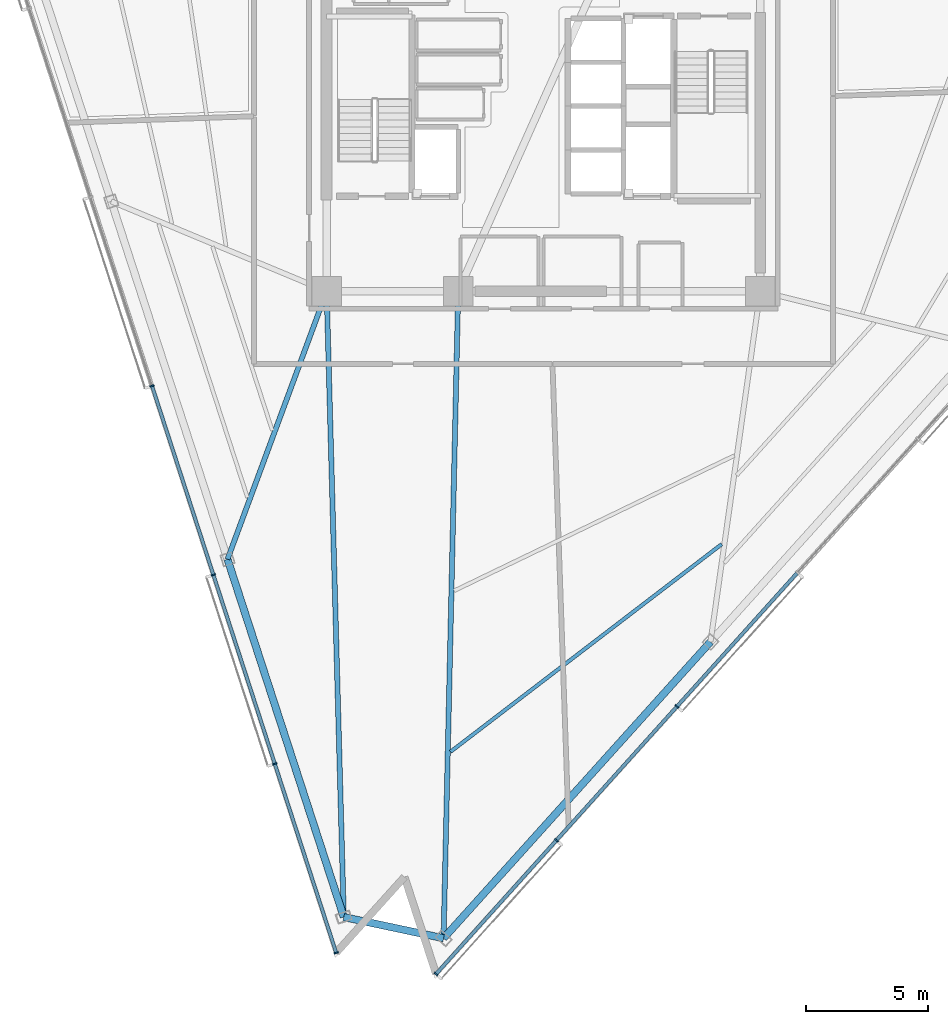
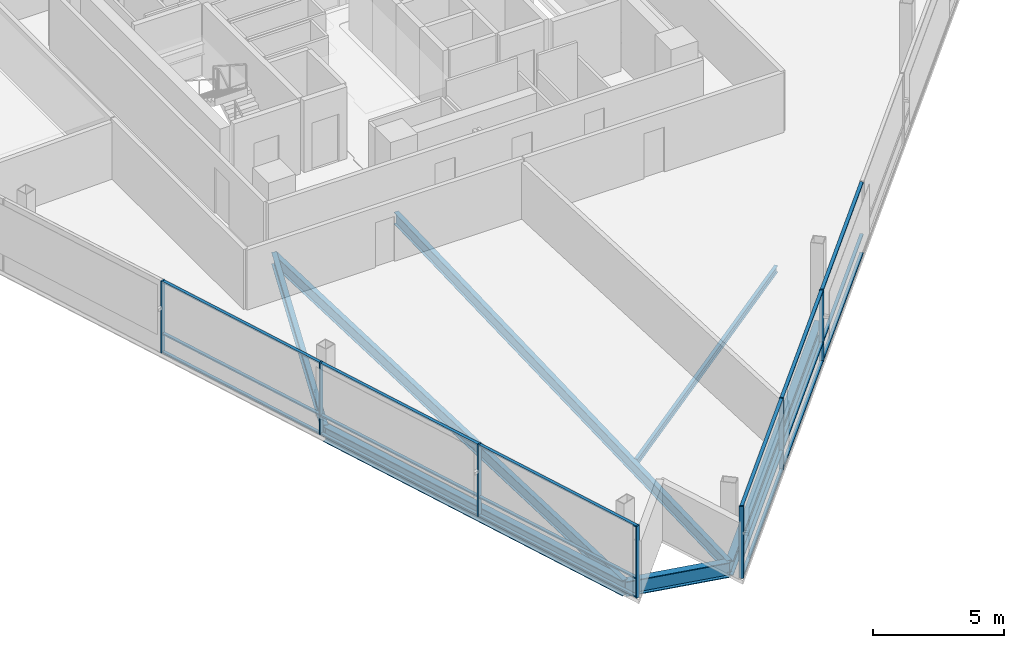
# One storey, part 2 of 17: 25 members, 7 beams, 2 elements without a shape of their own.
"""IFC4 building model written with IfcOpenShell, lengths in metres."""

from ifc_helpers import new_model, si_unit, direction, frame, origin, origin_2d, place, context, subcontext, project, spatial, rectangle, i_section, extrude, material, layer, layer_set, material_profile, profile_set, type_object, element, aggregate, save


model = new_model("IFC4")

# Units and contexts
model_context = context("Model", 3, precision=1e-05, world=origin(), true_north=direction((0.0, 1.0)))
body_context = subcontext(model_context, "Body", "Model", "MODEL_VIEW")
ifc_project = project(units=[si_unit("LENGTHUNIT", "METRE"), si_unit("AREAUNIT", "SQUARE_METRE"), si_unit("VOLUMEUNIT", "CUBIC_METRE"), si_unit("PLANEANGLEUNIT", "RADIAN"), si_unit("MASSUNIT", "GRAM", prefix="KILO")], contexts=[model_context])

# Site, building, storey
site_placement = place(None, origin())
site = spatial("IfcSite", under=ifc_project, at=site_placement, CompositionType="ELEMENT")
building_placement = place(site_placement, origin())
building = spatial("IfcBuilding", under=site, at=building_placement, Name="Tharavind Bronze Gate", CompositionType="ELEMENT")
storey_placement = place(building_placement, frame((0.0, 0.0, 218.449951171875)))
storey = spatial("IfcBuildingStorey", under=building, at=storey_placement, Name="L56", CompositionType="ELEMENT", Elevation=218.449951171875)

# Curtain wall, members
ifc_material_1 = material(Name="Anodised Bronze Aluminium", Category="aluminium")
ifc_layer = layer(ifc_material_1, 0.219970703125)
ifc_layer_set = layer_set([ifc_layer], Name="Anodised Bronze Aluminium")
curtain_wall_type = type_object("IfcCurtainWallType", Name="UNITISED CURTAIN WALL MID OFFICE", PredefinedType="USERDEFINED", material=ifc_layer_set)
curtain_wall_1_placement = place(storey_placement, origin())
curtain_wall_1 = element("IfcCurtainWall", 1, at=curtain_wall_1_placement, inside=storey, type_object=curtain_wall_type, Name="L56 unitised curtain wall mid office CW-L56-S1", ObjectType="UNITISED CURTAIN WALL", PredefinedType="USERDEFINED")
member_type_1 = type_object("IfcMemberType", Name="CURTAIN WALL BRONZE MULLION 65X180", PredefinedType="MULLION", material=ifc_material_1)
member_1_placement = place(storey_placement, frame((-16.0693359375, -11.489013671875, 0.0), z_axis=(0.0, 0.0, 1.0), x_axis=(0.309016994375, -0.951056516295, 0.0)))
member_1 = element("IfcMember", 2, at=member_1_placement, type_object=member_type_1, Name="CW-L56-S1 mullion 4", PredefinedType="MULLION", context=body_context, shape_type="SweptSolid", body=[
    extrude(rectangle(XDim=0.06494140625, YDim=0.179931640625, at=origin_2d()), origin(), (0.0, 0.0, 1.0), 3.360107421875),
])
member_2_placement = place(storey_placement, frame((-13.54931640625, -19.24560546875, 0.0), z_axis=(0.0, 0.0, 1.0), x_axis=(0.309016994375, -0.951056516295, 0.0)))
member_2 = element("IfcMember", 3, at=member_2_placement, type_object=member_type_1, Name="CW-L56-S1 mullion 5", PredefinedType="MULLION", context=body_context, shape_type="SweptSolid", body=[
    extrude(rectangle(XDim=0.06494140625, YDim=0.179931640625, at=origin_2d()), origin(), (0.0, 0.0, 1.0), 3.360107421875),
])
member_3_placement = place(storey_placement, frame((-11.029052734375, -27.002197265625, 0.0), z_axis=(0.0, 0.0, 1.0), x_axis=(0.309016994375, -0.951056516295, 0.0)))
member_3 = element("IfcMember", 4, at=member_3_placement, type_object=member_type_1, Name="CW-L56-S1 mullion 6", PredefinedType="MULLION", context=body_context, shape_type="SweptSolid", body=[
    extrude(rectangle(XDim=0.06494140625, YDim=0.179931640625, at=origin_2d()), origin(), (0.0, 0.0, 1.0), 3.360107421875),
])
member_4_placement = place(storey_placement, frame((-8.5087890625, -34.7587890625, 0.0), z_axis=(0.0, 0.0, 1.0), x_axis=(0.309016994375, -0.951056516295, 0.0)))
member_4 = element("IfcMember", 5, at=member_4_placement, type_object=member_type_1, Name="CW-L56-S1 mullion 7", PredefinedType="MULLION", context=body_context, shape_type="SweptSolid", body=[
    extrude(rectangle(XDim=0.06494140625, YDim=0.179931640625, at=origin_2d()), origin(), (0.0, 0.0, 1.0), 3.360107421875),
])

curtain_wall_2_placement = place(storey_placement, origin())
curtain_wall_2 = element("IfcCurtainWall", 6, at=curtain_wall_2_placement, inside=storey, type_object=curtain_wall_type, Name="L56 unitised curtain wall mid office CW-L56-S2", ObjectType="UNITISED CURTAIN WALL", PredefinedType="USERDEFINED")
member_5_placement = place(storey_placement, frame((-4.412109375, -35.62939453125, 0.0), z_axis=(0.0, 0.0, 1.0), x_axis=(0.669130606359, 0.743144825477, 0.0)))
member_5 = element("IfcMember", 7, at=member_5_placement, type_object=member_type_1, Name="CW-L56-S2 mullion 1", PredefinedType="MULLION", context=body_context, shape_type="SweptSolid", body=[
    extrude(rectangle(XDim=0.06494140625, YDim=0.179931640625, at=origin_2d()), origin(), (0.0, 0.0, 1.0), 3.360107421875),
])
member_6_placement = place(storey_placement, frame((0.5322265625, -30.13818359375, 0.0), z_axis=(0.0, 0.0, 1.0), x_axis=(0.669130606359, 0.743144825477, 0.0)))
member_6 = element("IfcMember", 8, at=member_6_placement, type_object=member_type_1, Name="CW-L56-S2 mullion 2", PredefinedType="MULLION", context=body_context, shape_type="SweptSolid", body=[
    extrude(rectangle(XDim=0.06494140625, YDim=0.179931640625, at=origin_2d()), origin(), (0.0, 0.0, 1.0), 3.360107421875),
])
member_7_placement = place(storey_placement, frame((5.476806640625, -24.646484375, 0.0), z_axis=(0.0, 0.0, 1.0), x_axis=(0.669130606359, 0.743144825477, 0.0)))
member_7 = element("IfcMember", 9, at=member_7_placement, type_object=member_type_1, Name="CW-L56-S2 mullion 3", PredefinedType="MULLION", context=body_context, shape_type="SweptSolid", body=[
    extrude(rectangle(XDim=0.06494140625, YDim=0.179931640625, at=origin_2d()), origin(), (0.0, 0.0, 1.0), 3.360107421875),
])

# Member
member_type_2 = type_object("IfcMemberType", Name="CURTAIN WALL BRONZE TRANSOM 65X140", PredefinedType="USERDEFINED", material=ifc_material_1)
member_8_placement = place(storey_placement, frame((-14.809326171875, -15.367431640625, 0.0), z_axis=(0.0, 0.0, 1.0), x_axis=(0.309016994375, -0.951056516295, 0.0)))
member_8 = element("IfcMember", 10, at=member_8_placement, type_object=member_type_2, Name="CW-L56-S1 transom TB4", ObjectType="TRANSOM", PredefinedType="USERDEFINED", context=body_context, shape_type="SweptSolid", body=[
    extrude(rectangle(XDim=8.102783203125, YDim=0.139892578125, at=origin_2d()), origin(), (0.0, 0.0, 1.0), 0.06494140625),
])

member_9_placement = place(storey_placement, frame((-14.809326171875, -15.367431640625, 0.86767578125), z_axis=(0.0, 0.0, 1.0), x_axis=(0.309016994375, -0.951056516295, 0.0)))
member_9 = element("IfcMember", 11, at=member_9_placement, type_object=member_type_2, Name="CW-L56-S1 transom TS4", ObjectType="TRANSOM", PredefinedType="USERDEFINED", context=body_context, shape_type="SweptSolid", body=[
    extrude(rectangle(XDim=8.102783203125, YDim=0.139892578125, at=origin_2d()), origin(), (0.0, 0.0, 1.0), 0.06494140625),
])

member_10_placement = place(storey_placement, frame((-14.809326171875, -15.367431640625, 3.295166015625), z_axis=(0.0, 0.0, 1.0), x_axis=(0.309016994375, -0.951056516295, 0.0)))
member_10 = element("IfcMember", 12, at=member_10_placement, type_object=member_type_2, Name="CW-L56-S1 transom TT4", ObjectType="TRANSOM", PredefinedType="USERDEFINED", context=body_context, shape_type="SweptSolid", body=[
    extrude(rectangle(XDim=8.102783203125, YDim=0.139892578125, at=origin_2d()), origin(), (0.0, 0.0, 1.0), 0.06494140625),
])

member_11_placement = place(storey_placement, frame((-12.2890625, -23.123779296875, 0.0), z_axis=(0.0, 0.0, 1.0), x_axis=(0.309016994375, -0.951056516295, 0.0)))
member_11 = element("IfcMember", 13, at=member_11_placement, type_object=member_type_2, Name="CW-L56-S1 transom TB5", ObjectType="TRANSOM", PredefinedType="USERDEFINED", context=body_context, shape_type="SweptSolid", body=[
    extrude(rectangle(XDim=8.102783203125, YDim=0.139892578125, at=origin_2d()), origin(), (0.0, 0.0, 1.0), 0.06494140625),
])

member_12_placement = place(storey_placement, frame((-12.2890625, -23.123779296875, 0.86767578125), z_axis=(0.0, 0.0, 1.0), x_axis=(0.309016994375, -0.951056516295, 0.0)))
member_12 = element("IfcMember", 14, at=member_12_placement, type_object=member_type_2, Name="CW-L56-S1 transom TS5", ObjectType="TRANSOM", PredefinedType="USERDEFINED", context=body_context, shape_type="SweptSolid", body=[
    extrude(rectangle(XDim=8.102783203125, YDim=0.139892578125, at=origin_2d()), origin(), (0.0, 0.0, 1.0), 0.06494140625),
])

member_13_placement = place(storey_placement, frame((-12.2890625, -23.123779296875, 3.295166015625), z_axis=(0.0, 0.0, 1.0), x_axis=(0.309016994375, -0.951056516295, 0.0)))
member_13 = element("IfcMember", 15, at=member_13_placement, type_object=member_type_2, Name="CW-L56-S1 transom TT5", ObjectType="TRANSOM", PredefinedType="USERDEFINED", context=body_context, shape_type="SweptSolid", body=[
    extrude(rectangle(XDim=8.102783203125, YDim=0.139892578125, at=origin_2d()), origin(), (0.0, 0.0, 1.0), 0.06494140625),
])

member_14_placement = place(storey_placement, frame((-9.768798828125, -30.88037109375, 0.0), z_axis=(0.0, 0.0, 1.0), x_axis=(0.309016994375, -0.951056516295, 0.0)))
member_14 = element("IfcMember", 16, at=member_14_placement, type_object=member_type_2, Name="CW-L56-S1 transom TB6", ObjectType="TRANSOM", PredefinedType="USERDEFINED", context=body_context, shape_type="SweptSolid", body=[
    extrude(rectangle(XDim=8.102783203125, YDim=0.139892578125, at=origin_2d()), origin(), (0.0, 0.0, 1.0), 0.06494140625),
])

member_15_placement = place(storey_placement, frame((-9.768798828125, -30.88037109375, 0.86767578125), z_axis=(0.0, 0.0, 1.0), x_axis=(0.309016994375, -0.951056516295, 0.0)))
member_15 = element("IfcMember", 17, at=member_15_placement, type_object=member_type_2, Name="CW-L56-S1 transom TS6", ObjectType="TRANSOM", PredefinedType="USERDEFINED", context=body_context, shape_type="SweptSolid", body=[
    extrude(rectangle(XDim=8.102783203125, YDim=0.139892578125, at=origin_2d()), origin(), (0.0, 0.0, 1.0), 0.06494140625),
])

member_16_placement = place(storey_placement, frame((-9.768798828125, -30.88037109375, 3.295166015625), z_axis=(0.0, 0.0, 1.0), x_axis=(0.309016994375, -0.951056516295, 0.0)))
member_16 = element("IfcMember", 18, at=member_16_placement, type_object=member_type_2, Name="CW-L56-S1 transom TT6", ObjectType="TRANSOM", PredefinedType="USERDEFINED", context=body_context, shape_type="SweptSolid", body=[
    extrude(rectangle(XDim=8.102783203125, YDim=0.139892578125, at=origin_2d()), origin(), (0.0, 0.0, 1.0), 0.06494140625),
])

aggregate(curtain_wall_1, [member_1, member_2, member_3, member_4, member_8, member_9, member_10, member_11, member_12, member_13, member_14, member_15, member_16])

member_17_placement = place(storey_placement, frame((-1.93994140625, -32.8837890625, 0.0), z_axis=(0.0, 0.0, 1.0), x_axis=(0.669130606359, 0.743144825477, 0.0)))
member_17 = element("IfcMember", 19, at=member_17_placement, type_object=member_type_2, Name="CW-L56-S2 transom TB1", ObjectType="TRANSOM", PredefinedType="USERDEFINED", context=body_context, shape_type="SweptSolid", body=[
    extrude(rectangle(XDim=7.33642578125, YDim=0.139892578125, at=origin_2d()), origin(), (0.0, 0.0, 1.0), 0.06494140625),
])

member_18_placement = place(storey_placement, frame((-1.93994140625, -32.8837890625, 0.86767578125), z_axis=(0.0, 0.0, 1.0), x_axis=(0.669130606359, 0.743144825477, 0.0)))
member_18 = element("IfcMember", 20, at=member_18_placement, type_object=member_type_2, Name="CW-L56-S2 transom TS1", ObjectType="TRANSOM", PredefinedType="USERDEFINED", context=body_context, shape_type="SweptSolid", body=[
    extrude(rectangle(XDim=7.33642578125, YDim=0.139892578125, at=origin_2d()), origin(), (0.0, 0.0, 1.0), 0.06494140625),
])

member_19_placement = place(storey_placement, frame((-1.93994140625, -32.8837890625, 3.295166015625), z_axis=(0.0, 0.0, 1.0), x_axis=(0.669130606359, 0.743144825477, 0.0)))
member_19 = element("IfcMember", 21, at=member_19_placement, type_object=member_type_2, Name="CW-L56-S2 transom TT1", ObjectType="TRANSOM", PredefinedType="USERDEFINED", context=body_context, shape_type="SweptSolid", body=[
    extrude(rectangle(XDim=7.33642578125, YDim=0.139892578125, at=origin_2d()), origin(), (0.0, 0.0, 1.0), 0.06494140625),
])

member_20_placement = place(storey_placement, frame((3.004638671875, -27.392333984375, 0.0), z_axis=(0.0, 0.0, 1.0), x_axis=(0.669130606359, 0.743144825477, 0.0)))
member_20 = element("IfcMember", 22, at=member_20_placement, type_object=member_type_2, Name="CW-L56-S2 transom TB2", ObjectType="TRANSOM", PredefinedType="USERDEFINED", context=body_context, shape_type="SweptSolid", body=[
    extrude(rectangle(XDim=7.33642578125, YDim=0.139892578125, at=origin_2d()), origin(), (0.0, 0.0, 1.0), 0.06494140625),
])

member_21_placement = place(storey_placement, frame((3.004638671875, -27.392333984375, 0.86767578125), z_axis=(0.0, 0.0, 1.0), x_axis=(0.669130606359, 0.743144825477, 0.0)))
member_21 = element("IfcMember", 23, at=member_21_placement, type_object=member_type_2, Name="CW-L56-S2 transom TS2", ObjectType="TRANSOM", PredefinedType="USERDEFINED", context=body_context, shape_type="SweptSolid", body=[
    extrude(rectangle(XDim=7.33642578125, YDim=0.139892578125, at=origin_2d()), origin(), (0.0, 0.0, 1.0), 0.06494140625),
])

member_22_placement = place(storey_placement, frame((3.004638671875, -27.392333984375, 3.295166015625), z_axis=(0.0, 0.0, 1.0), x_axis=(0.669130606359, 0.743144825477, 0.0)))
member_22 = element("IfcMember", 24, at=member_22_placement, type_object=member_type_2, Name="CW-L56-S2 transom TT2", ObjectType="TRANSOM", PredefinedType="USERDEFINED", context=body_context, shape_type="SweptSolid", body=[
    extrude(rectangle(XDim=7.33642578125, YDim=0.139892578125, at=origin_2d()), origin(), (0.0, 0.0, 1.0), 0.06494140625),
])

member_23_placement = place(storey_placement, frame((7.94921875, -21.90087890625, 0.0), z_axis=(0.0, 0.0, 1.0), x_axis=(0.669130606359, 0.743144825477, 0.0)))
member_23 = element("IfcMember", 25, at=member_23_placement, type_object=member_type_2, Name="CW-L56-S2 transom TB3", ObjectType="TRANSOM", PredefinedType="USERDEFINED", context=body_context, shape_type="SweptSolid", body=[
    extrude(rectangle(XDim=7.33642578125, YDim=0.139892578125, at=origin_2d()), origin(), (0.0, 0.0, 1.0), 0.06494140625),
])

member_24_placement = place(storey_placement, frame((7.94921875, -21.90087890625, 0.86767578125), z_axis=(0.0, 0.0, 1.0), x_axis=(0.669130606359, 0.743144825477, 0.0)))
member_24 = element("IfcMember", 26, at=member_24_placement, type_object=member_type_2, Name="CW-L56-S2 transom TS3", ObjectType="TRANSOM", PredefinedType="USERDEFINED", context=body_context, shape_type="SweptSolid", body=[
    extrude(rectangle(XDim=7.33642578125, YDim=0.139892578125, at=origin_2d()), origin(), (0.0, 0.0, 1.0), 0.06494140625),
])

member_25_placement = place(storey_placement, frame((7.94921875, -21.90087890625, 3.295166015625), z_axis=(0.0, 0.0, 1.0), x_axis=(0.669130606359, 0.743144825477, 0.0)))
member_25 = element("IfcMember", 27, at=member_25_placement, type_object=member_type_2, Name="CW-L56-S2 transom TT3", ObjectType="TRANSOM", PredefinedType="USERDEFINED", context=body_context, shape_type="SweptSolid", body=[
    extrude(rectangle(XDim=7.33642578125, YDim=0.139892578125, at=origin_2d()), origin(), (0.0, 0.0, 1.0), 0.06494140625),
])

aggregate(curtain_wall_2, [member_5, member_6, member_7, member_17, member_18, member_19, member_20, member_21, member_22, member_23, member_24, member_25])

# Beams
ifc_material_2 = material(Name="Steel S355", Category="steel")
ifc_material_profile_1 = material_profile(ifc_material_2, i_section(OverallWidth=0.2099609375, OverallDepth=0.550048828125, WebThickness=0.010986328125, FlangeThickness=0.01708984375, at=origin_2d()), Name="IPE550")
ifc_profile_set_1 = profile_set([ifc_material_profile_1], Name="Steel S355")
beam_type_1 = type_object("IfcBeamType", Name="PRIMARY GIRDER IPE550", PredefinedType="USERDEFINED", material=ifc_profile_set_1)
beam_1_placement = place(storey_placement, frame((-12.9697265625, -18.60205078125, -0.454833984375), z_axis=(0.34694151405, 0.937886765995, 0.0), x_axis=(-0.937886765995, 0.34694151405, 0.0)))
element("IfcBeam", 28, at=beam_1_placement, inside=storey, type_object=beam_type_1, Name="L56 primary girder ipe550 BM-L56-RAD03", ObjectType="GIRDER", PredefinedType="USERDEFINED", context=body_context, shape_type="SweptSolid", body=[
    extrude(i_section(OverallWidth=0.2099609375, OverallDepth=0.550048828125, WebThickness=0.010986328125, FlangeThickness=0.01708984375, at=origin_2d()), origin(), (0.0, 0.0, 1.0), 11.73046875),
])
beam_2_placement = place(storey_placement, frame((-8.197021484375, -33.29150390625, -0.454833984375), z_axis=(-0.027348365031, 0.999625963513, 0.0), x_axis=(-0.999625963513, -0.027348365031, 0.0)))
element("IfcBeam", 29, at=beam_2_placement, inside=storey, type_object=beam_type_1, Name="L56 primary girder ipe550 BM-L56-RAD04", ObjectType="GIRDER", PredefinedType="USERDEFINED", context=body_context, shape_type="SweptSolid", body=[
    extrude(i_section(OverallWidth=0.2099609375, OverallDepth=0.550048828125, WebThickness=0.010986328125, FlangeThickness=0.01708984375, at=origin_2d()), origin(), (0.0, 0.0, 1.0), 25.700927734375),
])
beam_3_placement = place(storey_placement, frame((-4.100341796875, -34.162353515625, -0.454833984375), z_axis=(0.022595540292, 0.999744688187, 0.0), x_axis=(-0.999744688187, 0.022595540292, 0.0)))
element("IfcBeam", 30, at=beam_3_placement, inside=storey, type_object=beam_type_1, Name="L56 primary girder ipe550 BM-L56-RAD05", ObjectType="GIRDER", PredefinedType="USERDEFINED", context=body_context, shape_type="SweptSolid", body=[
    extrude(i_section(OverallWidth=0.2099609375, OverallDepth=0.550048828125, WebThickness=0.010986328125, FlangeThickness=0.01708984375, at=origin_2d()), origin(), (0.0, 0.0, 1.0), 26.569091796875),
])
ifc_material_profile_2 = material_profile(ifc_material_2, i_section(OverallWidth=0.300048828125, OverallDepth=0.699951171875, WebThickness=0.01708984375, FlangeThickness=0.031982421875, at=origin_2d()), Name="HE700B")
ifc_profile_set_2 = profile_set([ifc_material_profile_2], Name="Steel S355")
beam_type_2 = type_object("IfcBeamType", Name="RING GIRDER HE700B", PredefinedType="USERDEFINED", material=ifc_profile_set_2)
beam_4_placement = place(storey_placement, frame((-12.9697265625, -18.60205078125, -0.530029296875), z_axis=(0.309006009957, -0.951060085279, 0.0), x_axis=(0.951060085279, 0.309006009957, 0.0)))
element("IfcBeam", 31, at=beam_4_placement, inside=storey, type_object=beam_type_2, Name="L56 ring girder he700b BM-L56-PRG03", ObjectType="GIRDER", PredefinedType="USERDEFINED", context=body_context, shape_type="SweptSolid", body=[
    extrude(i_section(OverallWidth=0.300048828125, OverallDepth=0.699951171875, WebThickness=0.01708984375, FlangeThickness=0.031982421875, at=origin_2d()), origin(), (0.0, 0.0, 1.0), 15.4453125),
])
beam_5_placement = place(storey_placement, frame((-8.197021484375, -33.29150390625, -0.530029296875), z_axis=(0.978144033538, -0.207928472445, 0.0), x_axis=(0.207928472445, 0.978144033538, 0.0)))
element("IfcBeam", 32, at=beam_5_placement, inside=storey, type_object=beam_type_2, Name="L56 ring girder he700b BM-L56-PRG04", ObjectType="GIRDER", PredefinedType="USERDEFINED", context=body_context, shape_type="SweptSolid", body=[
    extrude(i_section(OverallWidth=0.300048828125, OverallDepth=0.699951171875, WebThickness=0.01708984375, FlangeThickness=0.031982421875, at=origin_2d()), origin(), (0.0, 0.0, 1.0), 4.188232421875),
])
beam_6_placement = place(storey_placement, frame((-4.100341796875, -34.162353515625, -0.530029296875), z_axis=(0.669127800443, 0.743147351926, 0.0), x_axis=(-0.743147351926, 0.669127800443, 0.0)))
element("IfcBeam", 33, at=beam_6_placement, inside=storey, type_object=beam_type_2, Name="L56 ring girder he700b BM-L56-PRG05", ObjectType="GIRDER", PredefinedType="USERDEFINED", context=body_context, shape_type="SweptSolid", body=[
    extrude(i_section(OverallWidth=0.300048828125, OverallDepth=0.699951171875, WebThickness=0.01708984375, FlangeThickness=0.031982421875, at=origin_2d()), origin(), (0.0, 0.0, 1.0), 16.376220703125),
])
ifc_material_profile_3 = material_profile(ifc_material_2, i_section(OverallWidth=0.14990234375, OverallDepth=0.300048828125, WebThickness=0.007080078125, FlangeThickness=0.0107421875, at=origin_2d()), Name="IPE300")
ifc_profile_set_3 = profile_set([ifc_material_profile_3], Name="Steel S355")
beam_type_3 = type_object("IfcBeamType", Name="SECONDARY FLOOR JOIST IPE300", PredefinedType="JOIST", material=ifc_profile_set_3)
beam_7_placement = place(storey_placement, frame((-3.819091796875, -26.5078125, -0.329833984375), z_axis=(0.794097846092, 0.607789939726, 0.0), x_axis=(-0.607789939726, 0.794097846092, 0.0)))
element("IfcBeam", 34, at=beam_7_placement, inside=storey, type_object=beam_type_3, Name="L56 secondary floor joist ipe300 BM-L56-JSTB05", PredefinedType="JOIST", context=body_context, shape_type="SweptSolid", body=[
    extrude(i_section(OverallWidth=0.14990234375, OverallDepth=0.300048828125, WebThickness=0.007080078125, FlangeThickness=0.0107421875, at=origin_2d()), origin(), (0.0, 0.0, 1.0), 14.024169921875),
])

save(model, "model.ifc")
